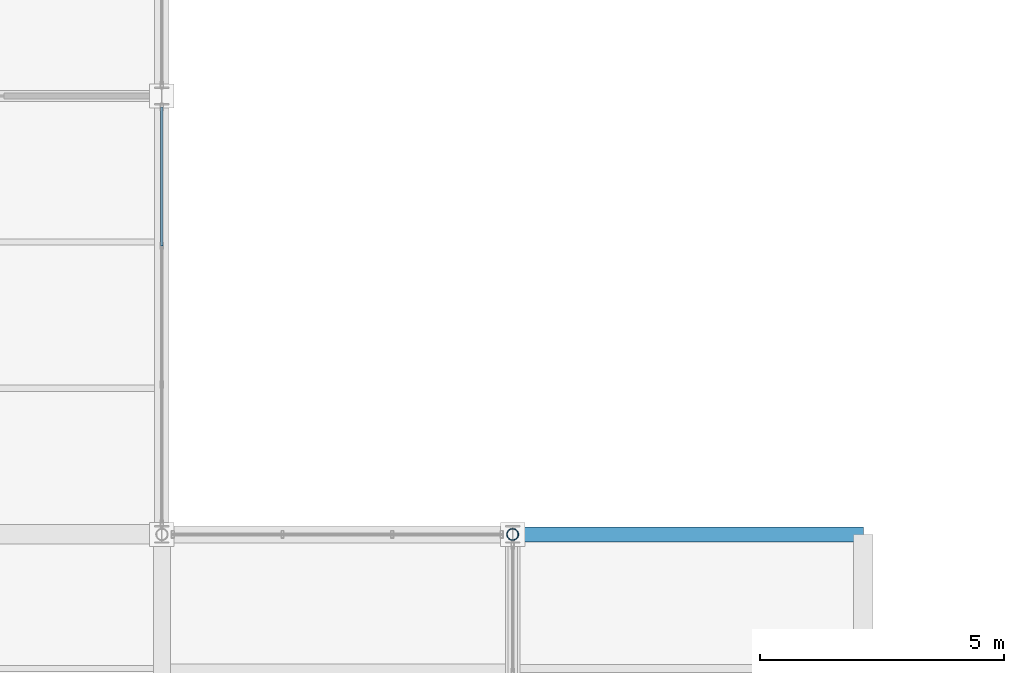
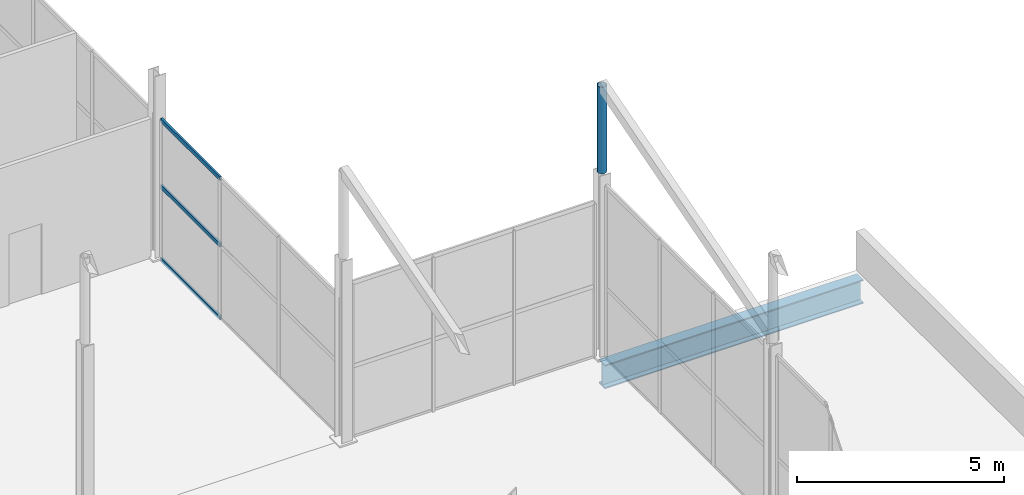
# One storey, part 78 of 141: 4 members, 1 beam, 1 element without a shape of its own.
"""IFC4 building model written with IfcOpenShell, lengths in metres."""

import ifcopenshell
import ifcopenshell.guid

model = None  # the IFC model being written
_history = None  # IfcOwnerHistory: only IFC2X3 demands one
_inside = {}  # id of a spatial element -> (the spatial element, [elements in it])
_under = {}  # id of a project, library or spatial element -> (it, [spatial elements below it])
_declared = {}  # id of a project -> (the project, [libraries it declares])
_typed = {}  # id of a type object -> (the type object, [elements of that type])
_made_of = {}  # id of a material, layer set ... -> (it, [elements and type objects made of it])


def new_model(schema):
    """Start an empty IFC model of exactly this schema.

    Asked for "IFC4X3", IfcOpenShell would pick the latest addendum, in which some entities
    have other attributes; the version numbers below select the first issue.
    IFC2X3 requires an IfcOwnerHistory on every rooted entity: one is made here for all.
    """
    global model, _history
    if schema == "IFC4X3":
        model = ifcopenshell.file(schema_version=(4, 3, 0, 0))
    else:
        model = ifcopenshell.file(schema=schema)
    _inside.clear()
    _under.clear()
    _declared.clear()
    _typed.clear()
    _made_of.clear()
    _history = None
    if model.schema == "IFC2X3":
        org = make("IfcOrganization", Name="unknown")
        user = make(
            "IfcPersonAndOrganization",
            ThePerson=make("IfcPerson", FamilyName="unknown"),
            TheOrganization=org,
        )
        app = make(
            "IfcApplication",
            ApplicationDeveloper=org,
            Version="unknown",
            ApplicationFullName="unknown",
            ApplicationIdentifier="unknown",
        )
        _history = make(
            "IfcOwnerHistory",
            OwningUser=user,
            OwningApplication=app,
            ChangeAction="ADDED",
            CreationDate=0,
        )
    return model


def make(cls, **values):
    """One entity of the class cls with the attributes given. An attribute that is None is left unset."""
    return model.create_entity(
        cls, **{name: value for name, value in values.items() if value is not None}
    )


def rooted(cls, **values):
    """An entity with a GlobalId (a new one), such as an element, a storey or a relation."""
    return make(cls, GlobalId=ifcopenshell.guid.new(), OwnerHistory=_history, **values)


def si_unit(unit_type, name, prefix=None):
    """IfcSIUnit, for example si_unit("LENGTHUNIT", "METRE", prefix="MILLI")."""
    return make("IfcSIUnit", UnitType=unit_type, Prefix=prefix, Name=name)


def assignment(units):
    """IfcUnitAssignment: the units of a project."""
    return None if units is None else make("IfcUnitAssignment", Units=units)


def point(xyz):
    """IfcCartesianPoint."""
    return None if xyz is None else make("IfcCartesianPoint", Coordinates=xyz)


def direction(xyz):
    """IfcDirection."""
    return None if xyz is None else make("IfcDirection", DirectionRatios=xyz)


def frame(location, z_axis=None, x_axis=None):
    """IfcAxis2Placement3D, a coordinate frame: its origin and axes. An axis left out is left unset."""
    return make(
        "IfcAxis2Placement3D",
        Location=point(location),
        Axis=direction(z_axis),
        RefDirection=direction(x_axis),
    )


def frame_2d(location, x_axis=None):
    """IfcAxis2Placement2D, a coordinate frame in the plane: its origin and x axis."""
    return make(
        "IfcAxis2Placement2D", Location=point(location), RefDirection=direction(x_axis)
    )


def origin():
    """The frame at (0, 0, 0) with its axes left unset."""
    return frame((0.0, 0.0, 0.0))


def origin_2d():
    """The frame at (0, 0) in the plane with its x axis left unset."""
    return frame_2d((0.0, 0.0))


def place(relative_to, where):
    """IfcLocalPlacement: puts the frame where relative to a parent placement (None: the world)."""
    return make(
        "IfcLocalPlacement", PlacementRelTo=relative_to, RelativePlacement=where
    )


def context(
    kind, dimensions, precision=None, world=None, true_north=None, identifier=None
):
    """IfcGeometricRepresentationContext, for example the 3D "Model" context."""
    return make(
        "IfcGeometricRepresentationContext",
        ContextIdentifier=identifier,
        ContextType=kind,
        CoordinateSpaceDimension=dimensions,
        Precision=precision,
        WorldCoordinateSystem=world,
        TrueNorth=true_north,
    )


def subcontext(parent, identifier, kind, view, scale=None):
    """IfcGeometricRepresentationSubContext, for example "Body" below "Model"."""
    return make(
        "IfcGeometricRepresentationSubContext",
        ContextIdentifier=identifier,
        ContextType=kind,
        ParentContext=parent,
        TargetScale=scale,
        TargetView=view,
    )


def project(units=None, contexts=None):
    """IfcProject with its units and contexts."""
    return rooted(
        "IfcProject",
        Name="project",
        RepresentationContexts=contexts,
        UnitsInContext=assignment(units),
    )


def spatial(cls, under=None, at=None, **own):
    """A site, building, storey or space (cls), placed at a placement, below another one or the project."""
    s = rooted(cls, ObjectPlacement=at, **own)
    if under is not None:
        _under.setdefault(under.id(), (under, []))[1].append(s)
    return s


def profile(cls, at=None, kind="AREA", **sizes):
    """A parametric profile (cls). Its sizes go by their IFC names, for example OverallWidth=200.0."""
    return make(cls, ProfileType=kind, Position=at, **sizes)


def hollow_rectangle(**sizes):
    """IfcRectangleHollowProfileDef."""
    return profile("IfcRectangleHollowProfileDef", **sizes)


def hollow_circle(**sizes):
    """IfcCircleHollowProfileDef."""
    return profile("IfcCircleHollowProfileDef", **sizes)


def i_section(**sizes):
    """IfcIShapeProfileDef."""
    return profile("IfcIShapeProfileDef", **sizes)


def extrude(swept, where, along, depth):
    """IfcExtrudedAreaSolid: the profile swept, set in the frame where, extruded along a direction by depth."""
    return make(
        "IfcExtrudedAreaSolid",
        SweptArea=swept,
        Position=where,
        ExtrudedDirection=direction(along),
        Depth=depth,
    )


def shape(context_of_items, identifier, shape_type, items):
    """IfcShapeRepresentation: the items that make up one representation, for example the "Body"."""
    return make(
        "IfcShapeRepresentation",
        ContextOfItems=context_of_items,
        RepresentationIdentifier=identifier,
        RepresentationType=shape_type,
        Items=items,
    )


def material(Name=None, Category=None):
    """IfcMaterial."""
    return make("IfcMaterial", Name=Name, Category=Category)


def layer(
    of_material, thickness, ventilated=None, Name=None, Category=None, Priority=None
):
    """IfcMaterialLayer: one layer of a wall or slab, of a material (None: an air gap)."""
    return make(
        "IfcMaterialLayer",
        Material=of_material,
        LayerThickness=thickness,
        IsVentilated=ventilated,
        Name=Name,
        Category=Category,
        Priority=Priority,
    )


def layer_set(layers, Name=None):
    """IfcMaterialLayerSet."""
    return make("IfcMaterialLayerSet", MaterialLayers=layers, LayerSetName=Name)


def material_profile(
    of_material, cross_section, Name=None, Category=None, Priority=None
):
    """IfcMaterialProfile: a cross section and its material."""
    return make(
        "IfcMaterialProfile",
        Name=Name,
        Material=of_material,
        Profile=cross_section,
        Priority=Priority,
        Category=Category,
    )


def profile_set(profiles, Name=None, composite=None):
    """IfcMaterialProfileSet."""
    return make(
        "IfcMaterialProfileSet",
        Name=Name,
        MaterialProfiles=profiles,
        CompositeProfile=composite,
    )


def made_of(thing, what):
    """Note that an element or type object is made of a material, layer set ...; save() writes the relation."""
    if what is not None:
        _made_of.setdefault(what.id(), (what, []))[1].append(thing)
    return thing


def type_object(cls, material=None, **own):
    """A type object (cls), such as IfcWallType, which elements share."""
    return made_of(rooted(cls, **own), material)


def element(
    cls,
    number,
    at=None,
    inside=None,
    cuts=None,
    type_object=None,
    material=None,
    context=None,
    identifier="Body",
    shape_type=None,
    held_by="IfcProductDefinitionShape",
    body=None,
    shapes=None,
    **own,
):
    """One element of the class cls, such as IfcWall. Its Tag is "e" and its number.

    at: its placement. inside: the storey or other place that contains it. cuts: it is an
    opening in that element (IfcRelVoidsElement). A single representation is given by context,
    identifier, shape_type and body (its items); several are given by shapes. held_by: the class
    of the entity that holds the representations. save() writes the other relations.
    """
    e = rooted(cls, Tag="e%d" % number, ObjectPlacement=at, **own)
    if body is not None:
        shapes = [shape(context, identifier, shape_type, body)]
    if shapes is not None:
        e.Representation = make(held_by, Representations=shapes)
    if inside is not None:
        _inside.setdefault(inside.id(), (inside, []))[1].append(e)
    if cuts is not None:
        rooted(
            "IfcRelVoidsElement", RelatingBuildingElement=cuts, RelatedOpeningElement=e
        )
    if type_object is not None:
        _typed.setdefault(type_object.id(), (type_object, []))[1].append(e)
    return made_of(e, material)


def aggregate(whole, parts):
    """IfcRelAggregates: a whole, such as a stair, and the parts it consists of."""
    return rooted("IfcRelAggregates", RelatingObject=whole, RelatedObjects=parts)


def save(model, path):
    """Write the relations noted so far, then the file.

    IfcRelAggregates (storeys below a building ...), IfcRelContainedInSpatialStructure (elements
    in a storey), IfcRelDefinesByType, IfcRelAssociatesMaterial and IfcRelDeclares: one each for
    every whole, place, type object, material and project.
    """
    for whole, parts in _under.values():
        aggregate(whole, parts)
    for where, things in _inside.values():
        rooted(
            "IfcRelContainedInSpatialStructure",
            RelatedElements=things,
            RelatingStructure=where,
        )
    for kind, things in _typed.values():
        rooted("IfcRelDefinesByType", RelatedObjects=things, RelatingType=kind)
    for what, things in _made_of.values():
        rooted("IfcRelAssociatesMaterial", RelatedObjects=things, RelatingMaterial=what)
    for by, libraries in _declared.values():
        rooted("IfcRelDeclares", RelatingContext=by, RelatedDefinitions=libraries)
    model.write(path)


model = new_model("IFC4")

# Units and contexts
model_context = context("Model", 3, precision=1e-05, world=origin(), true_north=direction((0.0, 1.0)))
body_context = subcontext(model_context, "Body", "Model", "MODEL_VIEW")
ifc_project = project(units=[si_unit("LENGTHUNIT", "METRE"), si_unit("AREAUNIT", "SQUARE_METRE"), si_unit("VOLUMEUNIT", "CUBIC_METRE"), si_unit("PLANEANGLEUNIT", "RADIAN"), si_unit("MASSUNIT", "GRAM", prefix="KILO")], contexts=[model_context])

# Site, building, storey
site_placement = place(None, origin())
site = spatial("IfcSite", under=ifc_project, at=site_placement, CompositionType="ELEMENT")
building_placement = place(site_placement, origin())
building = spatial("IfcBuilding", under=site, at=building_placement, Name="Sundgate Opera House", CompositionType="ELEMENT")
storey_placement = place(building_placement, frame((0.0, 0.0, 11.39990234375)))
storey = spatial("IfcBuildingStorey", under=building, at=storey_placement, Name="L02", CompositionType="ELEMENT", Elevation=11.39990234375)

# Beam
ifc_material_1 = material(Name="Steel S355J2", Category="steel")
ifc_material_profile_1 = material_profile(ifc_material_1, i_section(OverallWidth=0.300048828125, OverallDepth=0.699951171875, WebThickness=0.01708984375, FlangeThickness=0.031982421875, at=origin_2d()), Name="HEB 700")
ifc_profile_set_1 = profile_set([ifc_material_profile_1], Name="Steel S355J2")
beam_type = type_object("IfcBeamType", Name="BM-GR-HEB700", PredefinedType="BEAM", material=ifc_profile_set_1)
beam_placement = place(storey_placement, frame((153.0, 33.0, -0.579833984375), z_axis=(1.0, 0.0, 0.0), x_axis=(0.0, 1.0, 0.0)))
element("IfcBeam", 1, at=beam_placement, inside=storey, type_object=beam_type, Name="L02 Primary E-W Girder B2005", PredefinedType="BEAM", context=body_context, shape_type="SweptSolid", body=[
    extrude(i_section(OverallWidth=0.300048828125, OverallDepth=0.699951171875, WebThickness=0.01708984375, FlangeThickness=0.031982421875, at=origin_2d()), origin(), (0.0, 0.0, 1.0), 7.199951171875),
])

# Curtain wall, members
ifc_material_2 = material(Name="Anodized aluminium and low-iron glass", Category="aluminium")
ifc_layer = layer(ifc_material_2, 0.159912109375)
ifc_layer_set = layer_set([ifc_layer], Name="Anodized aluminium and low-iron glass")
curtain_wall_type = type_object("IfcCurtainWallType", Name="CW-STUDIO-DARK", PredefinedType="NOTDEFINED", material=ifc_layer_set)
curtain_wall_placement = place(storey_placement, origin())
curtain_wall = element("IfcCurtainWall", 2, at=curtain_wall_placement, inside=storey, type_object=curtain_wall_type, Name="L02 Curtain Wall CW063", PredefinedType="NOTDEFINED")
ifc_material_3 = material(Name="Anodized aluminium EN AW-6063", Category="aluminium")
ifc_material_profile_2 = material_profile(ifc_material_3, hollow_rectangle(XDim=0.054931640625, YDim=0.1201171875, WallThickness=0.00390625, at=origin_2d()), Name="CWT 120x55x4")
ifc_profile_set_2 = profile_set([ifc_material_profile_2], Name="Anodized aluminium EN AW-6063")
member_type_1 = type_object("IfcMemberType", Name="CWT-ALU-120x55", PredefinedType="USERDEFINED", material=ifc_profile_set_2)
member_1_placement = place(storey_placement, frame((145.800048828125, 38.925048828125, 0.0), z_axis=(0.0, 1.0, 0.0), x_axis=(-1.0, 0.0, 0.0)))
member_1 = element("IfcMember", 3, at=member_1_placement, type_object=member_type_1, Name="CW063 Transom 7", ObjectType="TRANSOM", PredefinedType="USERDEFINED", context=body_context, shape_type="SweptSolid", body=[
    extrude(hollow_rectangle(XDim=0.054931640625, YDim=0.1201171875, WallThickness=0.00390625, at=origin_2d()), origin(), (0.0, 0.0, 1.0), 2.849853515625),
])
member_2_placement = place(storey_placement, frame((145.800048828125, 38.925048828125, 2.150146484375), z_axis=(0.0, 1.0, 0.0), x_axis=(-1.0, 0.0, 0.0)))
member_2 = element("IfcMember", 4, at=member_2_placement, type_object=member_type_1, Name="CW063 Transom 8", ObjectType="TRANSOM", PredefinedType="USERDEFINED", context=body_context, shape_type="SweptSolid", body=[
    extrude(hollow_rectangle(XDim=0.054931640625, YDim=0.1201171875, WallThickness=0.00390625, at=origin_2d()), origin(), (0.0, 0.0, 1.0), 2.849853515625),
])
member_3_placement = place(storey_placement, frame((145.800048828125, 38.925048828125, 4.10498046875), z_axis=(0.0, 1.0, 0.0), x_axis=(-1.0, 0.0, 0.0)))
member_3 = element("IfcMember", 5, at=member_3_placement, type_object=member_type_1, Name="CW063 Transom 9", ObjectType="TRANSOM", PredefinedType="USERDEFINED", context=body_context, shape_type="SweptSolid", body=[
    extrude(hollow_rectangle(XDim=0.054931640625, YDim=0.1201171875, WallThickness=0.00390625, at=origin_2d()), origin(), (0.0, 0.0, 1.0), 2.849853515625),
])
aggregate(curtain_wall, [member_1, member_2, member_3])

# Member
ifc_material_4 = material(Name="Steel S355J2", Category="steel")
ifc_material_profile_3 = material_profile(ifc_material_4, hollow_circle(Radius=0.122314453125, WallThickness=0.012451171875, at=origin_2d()), Name="CHS 244.5x12.5")
ifc_profile_set_3 = profile_set([ifc_material_profile_3], Name="Steel S355J2")
member_type_2 = type_object("IfcMemberType", Name="MB-STRUT-CHS244", PredefinedType="STRUT", material=ifc_profile_set_3)
member_4_placement = place(storey_placement, frame((153.0, 33.0, 5.400146484375), z_axis=(0.0, 0.0, 1.0), x_axis=(1.0, 0.0, 0.0)))
element("IfcMember", 6, at=member_4_placement, inside=storey, type_object=member_type_2, Name="L02 Sawtooth Northlight Post M0434", PredefinedType="STRUT", context=body_context, shape_type="SweptSolid", body=[
    extrude(hollow_circle(Radius=0.122314453125, WallThickness=0.012451171875, at=origin_2d()), origin(), (0.0, 0.0, 1.0), 2.550048828125),
])

save(model, "model.ifc")
